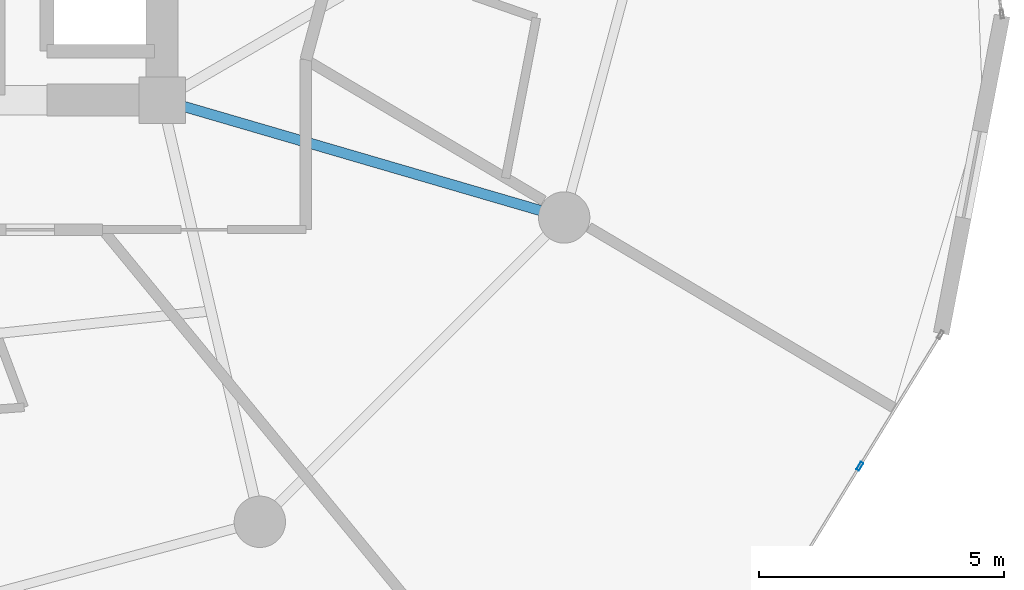
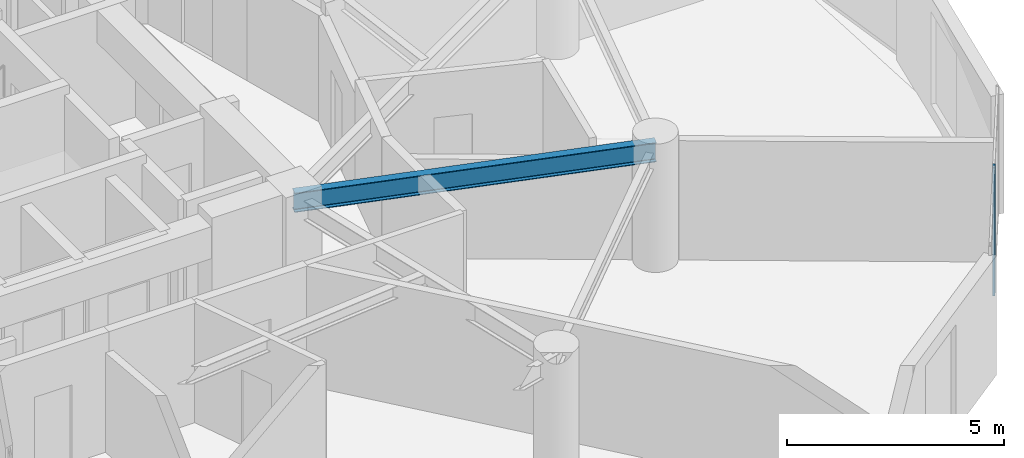
# One storey, part 7 of 23: 1 beam, 1 member, 1 element without a shape of its own.
"""IFC4 building model written with IfcOpenShell, lengths in metres."""

from ifc_helpers import new_model, si_unit, direction, frame, origin, origin_2d, place, context, subcontext, project, spatial, hollow_rectangle, i_section, extrude, source, transform, mapped, material, layer, layer_set, material_profile, profile_set, type_object, element, aggregate, save


model = new_model("IFC4")

# Units and contexts
model_context = context("Model", 3, precision=1e-05, world=origin(), true_north=direction((0.0, 1.0)))
body_context = subcontext(model_context, "Body", "Model", "MODEL_VIEW")
ifc_project = project(units=[si_unit("LENGTHUNIT", "METRE"), si_unit("AREAUNIT", "SQUARE_METRE"), si_unit("VOLUMEUNIT", "CUBIC_METRE"), si_unit("PLANEANGLEUNIT", "RADIAN"), si_unit("MASSUNIT", "GRAM", prefix="KILO")], contexts=[model_context])

# Site, building, storey
site_placement = place(None, origin())
site = spatial("IfcSite", under=ifc_project, at=site_placement, CompositionType="ELEMENT")
building_placement = place(site_placement, origin())
building = spatial("IfcBuilding", under=site, at=building_placement, Name="Solvirekh Grand Hotel", CompositionType="ELEMENT")
storey_placement = place(building_placement, frame((0.0, 0.0, 138.60009765625)))
storey = spatial("IfcBuildingStorey", under=building, at=storey_placement, Name="L35", CompositionType="ELEMENT", Elevation=138.60009765625)

# Beam
ifc_material_1 = material(Name="Steel S355", Category="steel")
ifc_material_profile_1 = material_profile(ifc_material_1, i_section(OverallWidth=0.2119140625, OverallDepth=0.5439453125, WebThickness=0.011962890625, FlangeThickness=0.01904296875, FilletRadius=0.013916015625, at=origin_2d()), Name="W530X123")
ifc_profile_set_1 = profile_set([ifc_material_profile_1], Name="Steel S355")
beam_type = type_object("IfcBeamType", Name="Beam_Radial_W530H", PredefinedType="BEAM", material=ifc_profile_set_1)
beam_placement = place(storey_placement, frame((6.5, -6.10009765625, 3.077880859375), z_axis=(0.959942195467, -0.28019811092, 0.0), x_axis=(0.28019811092, 0.959942195467, 0.0)))
element("IfcBeam", 1, at=beam_placement, inside=storey, type_object=beam_type, Name="L35 radial floor beam R12", PredefinedType="BEAM", context=body_context, shape_type="SweptSolid", body=[
    extrude(i_section(OverallWidth=0.2119140625, OverallDepth=0.5439453125, WebThickness=0.011962890625, FlangeThickness=0.01904296875, FilletRadius=0.013916015625, at=origin_2d()), origin(), (0.0, 0.0, 1.0), 8.56494140625),
])

# Curtain wall, member
ifc_material_2 = material(Name="Anodized Bronze Aluminium 6063-T6", Category="aluminium")
ifc_layer = layer(ifc_material_2, 0.175048828125)
ifc_layer_set = layer_set([ifc_layer], Name="Anodized Bronze Aluminium 6063-T6")
curtain_wall_type = type_object("IfcCurtainWallType", Name="CW_Sys3_MidZoneFlushBronzeCW", PredefinedType="NOTDEFINED", material=ifc_layer_set)
curtain_wall_placement = place(storey_placement, origin())
curtain_wall = element("IfcCurtainWall", 2, at=curtain_wall_placement, inside=storey, type_object=curtain_wall_type, Name="L35 unitised bronze-glass curtain wall CW-L35-C01", PredefinedType="NOTDEFINED")
ifc_material_profile_2 = material_profile(ifc_material_2, hollow_rectangle(XDim=0.06494140625, YDim=0.175048828125, WallThickness=0.0048828125, at=origin_2d()), Name="ALU RHS 175X65X5")
ifc_profile_set_2 = profile_set([ifc_material_profile_2], Name="Anodized Bronze Aluminium 6063-T6")
member_type = type_object("IfcMemberType", Name="CWMullion_Sys3", PredefinedType="MULLION", material=ifc_profile_set_2)
shared_shape = source(origin(), body_context, "Body", "SweptSolid", [
    extrude(hollow_rectangle(XDim=0.06494140625, YDim=0.175048828125, WallThickness=0.0048828125, at=origin_2d()), origin(), (0.0, 0.0, 1.0), 3.599853515625),
])
member_placement = place(storey_placement, frame((20.76708984375, -13.58642578125, 0.0), z_axis=(0.0, 0.0, 1.0), x_axis=(-0.852648632908, 0.522484745041, 0.0)))
member = element("IfcMember", 3, at=member_placement, type_object=member_type, Name="U03 mullion 2", PredefinedType="MULLION", context=body_context, shape_type="MappedRepresentation", body=[
    mapped(shared_shape, transform((0.0, 0.0, 0.0), x_axis=(1.0, 0.0, 0.0), y_axis=(0.0, 1.0, 0.0), z_axis=(0.0, 0.0, 1.0), scale=1.0)),
])
aggregate(curtain_wall, [member])

save(model, "model.ifc")
